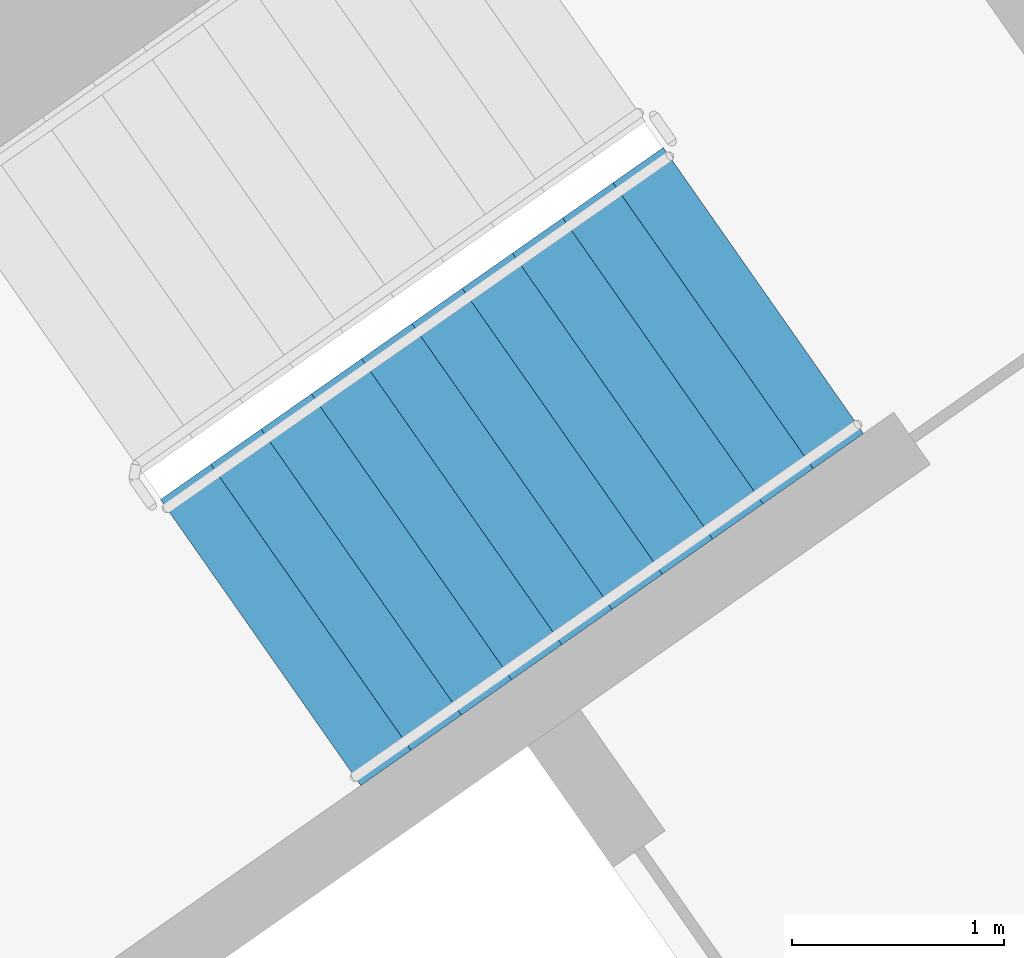
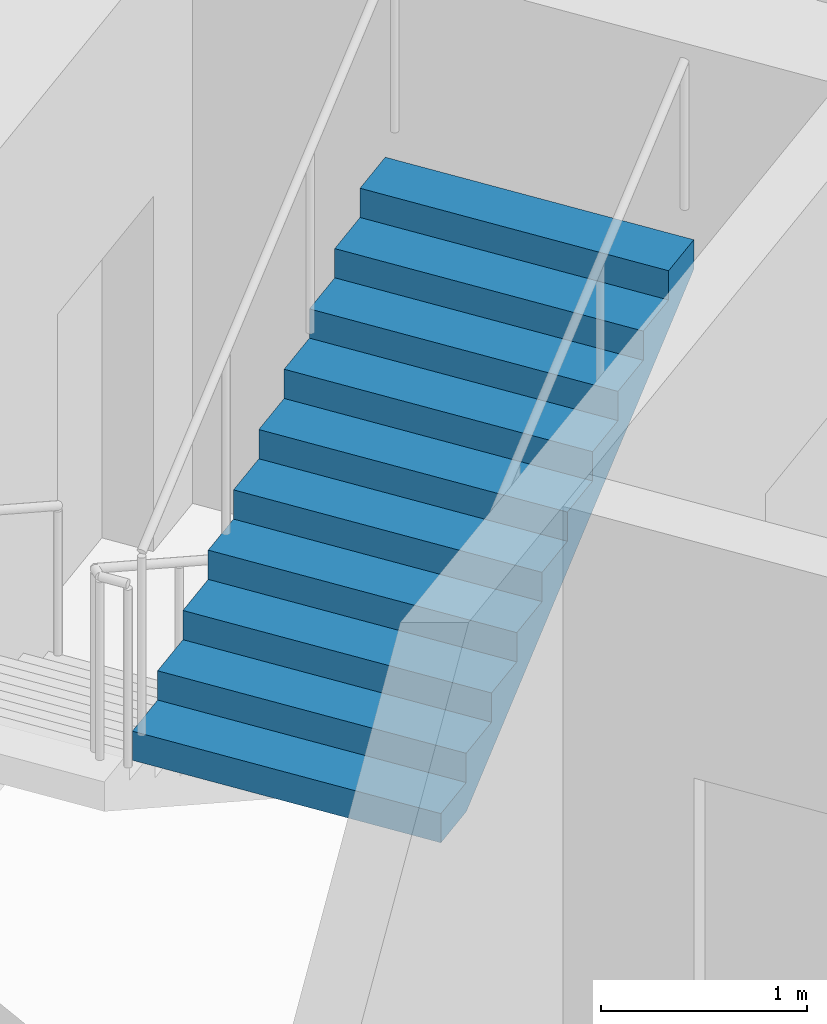
# One storey, part 15 of 29: 1 stair flight, 1 element without a shape of its own.
"""IFC4 building model written with IfcOpenShell, lengths in metres."""

from ifc_helpers import new_model, si_unit, direction, frame, origin, place, context, subcontext, project, spatial, faceted_brep, material, type_object, element, aggregate, save


model = new_model("IFC4")

# Units and contexts
model_context = context("Model", 3, precision=1e-05, world=origin(), true_north=direction((0.0, 1.0)))
body_context = subcontext(model_context, "Body", "Model", "MODEL_VIEW")
ifc_project = project(units=[si_unit("LENGTHUNIT", "METRE"), si_unit("AREAUNIT", "SQUARE_METRE"), si_unit("VOLUMEUNIT", "CUBIC_METRE"), si_unit("PLANEANGLEUNIT", "RADIAN"), si_unit("MASSUNIT", "GRAM", prefix="KILO")], contexts=[model_context])

# Site, building, storey
site_placement = place(None, origin())
site = spatial("IfcSite", under=ifc_project, at=site_placement, CompositionType="ELEMENT")
building_placement = place(site_placement, origin())
building = spatial("IfcBuilding", under=site, at=building_placement, Name="Qamariyya Broadcast Tower", CompositionType="ELEMENT")
storey_placement = place(building_placement, frame((0.0, 0.0, 261.89990234375)))
storey = spatial("IfcBuildingStorey", under=building, at=storey_placement, Name="L63", CompositionType="ELEMENT", Elevation=261.89990234375)

# Stair, stair flight
ifc_material = material(Name="Concrete C50/60", Category="concrete")
stair_type = type_object("IfcStairType", Name="Exit stair 22 risers of 173 mm", PredefinedType="HALF_TURN_STAIR", material=ifc_material)
stair_placement = place(storey_placement, origin())
stair = element("IfcStair", 1, at=stair_placement, inside=storey, type_object=stair_type, Name="L63 Stair E2", PredefinedType="HALF_TURN_STAIR")
stair_flight_type = type_object("IfcStairFlightType", Name="Exit stair flight 11 risers of 173 mm", PredefinedType="STRAIGHT", material=ifc_material)
stair_flight_placement = place(storey_placement, frame((39.215576171875, -50.822998046875, 1.900146484375), z_axis=(0.0, 0.0, 1.0), x_axis=(0.819152044289, 0.573576436351, 0.0)))
stair_flight = element("IfcStairFlight", 2, at=stair_flight_placement, type_object=stair_flight_type, Name="ST-E2 flight 2", NumberOfRisers=11, NumberOfTreads=10, PredefinedType="STRAIGHT", RiserHeight=0.172727273, TreadLength=0.29, context=body_context, shape_type="Brep", body=[
    faceted_brep([(0.0, 0.824951171875, 0.0), (0.0, 0.824951171875, 0.172607421875), (0.2900390625, 0.824951171875, 0.172607421875), (0.2900390625, 0.824951171875, 0.345458984375), (0.580078125, 0.824951171875, 0.345458984375), (0.580078125, 0.824951171875, 0.51806640625), (0.8701171875, 0.824951171875, 0.51806640625), (0.8701171875, 0.824951171875, 0.69091796875), (1.159912109375, 0.824951171875, 0.69091796875), (1.159912109375, 0.824951171875, 0.863525390625), (1.449951171875, 0.824951171875, 0.863525390625), (1.449951171875, 0.824951171875, 1.036376953125), (1.739990234375, 0.824951171875, 1.036376953125), (1.739990234375, 0.824951171875, 1.208984375), (2.030029296875, 0.824951171875, 1.208984375), (2.030029296875, 0.824951171875, 1.3818359375), (2.320068359375, 0.824951171875, 1.3818359375), (2.320068359375, 0.824951171875, 1.554443359375), (2.610107421875, 0.824951171875, 1.554443359375), (2.610107421875, 0.824951171875, 1.727294921875), (2.89990234375, 0.824951171875, 1.727294921875), (2.89990234375, 0.824951171875, 1.552734375), (0.29296875, 0.824951171875, 0.0), (0.29296875, -0.824951171875, 0.0), (2.89990234375, -0.824951171875, 1.552734375), (2.89990234375, -0.824951171875, 1.727294921875), (2.610107421875, -0.824951171875, 1.727294921875), (2.610107421875, -0.824951171875, 1.554443359375), (2.320068359375, -0.824951171875, 1.554443359375), (2.320068359375, -0.824951171875, 1.3818359375), (2.030029296875, -0.824951171875, 1.3818359375), (2.030029296875, -0.824951171875, 1.208984375), (1.739990234375, -0.824951171875, 1.208984375), (1.739990234375, -0.824951171875, 1.036376953125), (1.449951171875, -0.824951171875, 1.036376953125), (1.449951171875, -0.824951171875, 0.863525390625), (1.159912109375, -0.824951171875, 0.863525390625), (1.159912109375, -0.824951171875, 0.69091796875), (0.8701171875, -0.824951171875, 0.69091796875), (0.8701171875, -0.824951171875, 0.51806640625), (0.580078125, -0.824951171875, 0.51806640625), (0.580078125, -0.824951171875, 0.345458984375), (0.2900390625, -0.824951171875, 0.345458984375), (0.2900390625, -0.824951171875, 0.172607421875), (0.0, -0.824951171875, 0.172607421875), (0.0, -0.824951171875, 0.0), (0.0, 0.10009765625, 0.0), (0.0, 0.086669921875, 0.0), (0.0, 0.0732421875, 0.0), (0.0, 0.06005859375, 0.0), (0.0, 0.046630859375, 0.0), (0.0, 0.033447265625, 0.0), (0.0, 0.02001953125, 0.0), (0.0, 0.006591796875, 0.0), (0.0, -0.006591796875, 0.0), (0.0, -0.02001953125, 0.0), (0.0, -0.033447265625, 0.0), (0.0, -0.046630859375, 0.0), (0.0, -0.06005859375, 0.0), (0.0, -0.0732421875, 0.0), (0.0, -0.086669921875, 0.0), (0.0, -0.10009765625, 0.0), (0.0, -0.10009765625, 0.172607421875), (0.0, -0.086669921875, 0.172607421875), (0.0, -0.0732421875, 0.172607421875), (0.0, -0.06005859375, 0.172607421875), (0.0, -0.046630859375, 0.172607421875), (0.0, -0.033447265625, 0.172607421875), (0.0, -0.02001953125, 0.172607421875), (0.0, -0.006591796875, 0.172607421875), (0.0, 0.006591796875, 0.172607421875), (0.0, 0.02001953125, 0.172607421875), (0.0, 0.033447265625, 0.172607421875), (0.0, 0.046630859375, 0.172607421875), (0.0, 0.06005859375, 0.172607421875), (0.0, 0.0732421875, 0.172607421875), (0.0, 0.086669921875, 0.172607421875), (0.0, 0.10009765625, 0.172607421875), (0.2900390625, -0.10009765625, 0.172607421875), (0.2900390625, -0.086669921875, 0.172607421875), (0.2900390625, -0.0732421875, 0.172607421875), (0.2900390625, -0.06005859375, 0.172607421875), (0.2900390625, -0.046630859375, 0.172607421875), (0.2900390625, -0.033447265625, 0.172607421875), (0.2900390625, -0.02001953125, 0.172607421875), (0.2900390625, -0.006591796875, 0.172607421875), (0.2900390625, 0.006591796875, 0.172607421875), (0.2900390625, 0.02001953125, 0.172607421875), (0.2900390625, 0.033447265625, 0.172607421875), (0.2900390625, 0.046630859375, 0.172607421875), (0.2900390625, 0.06005859375, 0.172607421875), (0.2900390625, 0.0732421875, 0.172607421875), (0.2900390625, 0.086669921875, 0.172607421875), (0.2900390625, 0.10009765625, 0.172607421875), (0.2900390625, -0.10009765625, 0.345458984375), (0.2900390625, -0.086669921875, 0.345458984375), (0.2900390625, -0.0732421875, 0.345458984375), (0.2900390625, -0.06005859375, 0.345458984375), (0.2900390625, -0.046630859375, 0.345458984375), (0.2900390625, -0.033447265625, 0.345458984375), (0.2900390625, -0.02001953125, 0.345458984375), (0.2900390625, -0.006591796875, 0.345458984375), (0.2900390625, 0.006591796875, 0.345458984375), (0.2900390625, 0.02001953125, 0.345458984375), (0.2900390625, 0.033447265625, 0.345458984375), (0.2900390625, 0.046630859375, 0.345458984375), (0.2900390625, 0.06005859375, 0.345458984375), (0.2900390625, 0.0732421875, 0.345458984375), (0.2900390625, 0.086669921875, 0.345458984375), (0.2900390625, 0.10009765625, 0.345458984375), (0.580078125, -0.10009765625, 0.345458984375), (0.580078125, -0.086669921875, 0.345458984375), (0.580078125, -0.0732421875, 0.345458984375), (0.580078125, -0.06005859375, 0.345458984375), (0.580078125, -0.046630859375, 0.345458984375), (0.580078125, -0.033447265625, 0.345458984375), (0.580078125, -0.02001953125, 0.345458984375), (0.580078125, -0.006591796875, 0.345458984375), (0.580078125, 0.006591796875, 0.345458984375), (0.580078125, 0.02001953125, 0.345458984375), (0.580078125, 0.033447265625, 0.345458984375), (0.580078125, 0.046630859375, 0.345458984375), (0.580078125, 0.06005859375, 0.345458984375), (0.580078125, 0.0732421875, 0.345458984375), (0.580078125, 0.086669921875, 0.345458984375), (0.580078125, 0.10009765625, 0.345458984375), (0.580078125, -0.10009765625, 0.51806640625), (0.580078125, -0.086669921875, 0.51806640625), (0.580078125, -0.0732421875, 0.51806640625), (0.580078125, -0.06005859375, 0.51806640625), (0.580078125, -0.046630859375, 0.51806640625), (0.580078125, -0.033447265625, 0.51806640625), (0.580078125, -0.02001953125, 0.51806640625), (0.580078125, -0.006591796875, 0.51806640625), (0.580078125, 0.006591796875, 0.51806640625), (0.580078125, 0.02001953125, 0.51806640625), (0.580078125, 0.033447265625, 0.51806640625), (0.580078125, 0.046630859375, 0.51806640625), (0.580078125, 0.06005859375, 0.51806640625), (0.580078125, 0.0732421875, 0.51806640625), (0.580078125, 0.086669921875, 0.51806640625), (0.580078125, 0.10009765625, 0.51806640625), (0.8701171875, -0.10009765625, 0.51806640625), (0.8701171875, -0.086669921875, 0.51806640625), (0.8701171875, -0.0732421875, 0.51806640625), (0.8701171875, -0.06005859375, 0.51806640625), (0.8701171875, -0.046630859375, 0.51806640625), (0.8701171875, -0.033447265625, 0.51806640625), (0.8701171875, -0.02001953125, 0.51806640625), (0.8701171875, -0.006591796875, 0.51806640625), (0.8701171875, 0.006591796875, 0.51806640625), (0.8701171875, 0.02001953125, 0.51806640625), (0.8701171875, 0.033447265625, 0.51806640625), (0.8701171875, 0.046630859375, 0.51806640625), (0.8701171875, 0.06005859375, 0.51806640625), (0.8701171875, 0.0732421875, 0.51806640625), (0.8701171875, 0.086669921875, 0.51806640625), (0.8701171875, 0.10009765625, 0.51806640625), (0.8701171875, -0.10009765625, 0.69091796875), (0.8701171875, -0.086669921875, 0.69091796875), (0.8701171875, -0.0732421875, 0.69091796875), (0.8701171875, -0.06005859375, 0.69091796875), (0.8701171875, -0.046630859375, 0.69091796875), (0.8701171875, -0.033447265625, 0.69091796875), (0.8701171875, -0.02001953125, 0.69091796875), (0.8701171875, -0.006591796875, 0.69091796875), (0.8701171875, 0.006591796875, 0.69091796875), (0.8701171875, 0.02001953125, 0.69091796875), (0.8701171875, 0.033447265625, 0.69091796875), (0.8701171875, 0.046630859375, 0.69091796875), (0.8701171875, 0.06005859375, 0.69091796875), (0.8701171875, 0.0732421875, 0.69091796875), (0.8701171875, 0.086669921875, 0.69091796875), (0.8701171875, 0.10009765625, 0.69091796875), (1.159912109375, -0.10009765625, 0.69091796875), (1.159912109375, -0.086669921875, 0.69091796875), (1.159912109375, -0.0732421875, 0.69091796875), (1.159912109375, -0.06005859375, 0.69091796875), (1.159912109375, -0.046630859375, 0.69091796875), (1.159912109375, -0.033447265625, 0.69091796875), (1.159912109375, -0.02001953125, 0.69091796875), (1.159912109375, -0.006591796875, 0.69091796875), (1.159912109375, 0.006591796875, 0.69091796875), (1.159912109375, 0.02001953125, 0.69091796875), (1.159912109375, 0.033447265625, 0.69091796875), (1.159912109375, 0.046630859375, 0.69091796875), (1.159912109375, 0.06005859375, 0.69091796875), (1.159912109375, 0.0732421875, 0.69091796875), (1.159912109375, 0.086669921875, 0.69091796875), (1.159912109375, 0.10009765625, 0.69091796875), (1.159912109375, -0.10009765625, 0.863525390625), (1.159912109375, -0.086669921875, 0.863525390625), (1.159912109375, -0.0732421875, 0.863525390625), (1.159912109375, -0.06005859375, 0.863525390625), (1.159912109375, -0.046630859375, 0.863525390625), (1.159912109375, -0.033447265625, 0.863525390625), (1.159912109375, -0.02001953125, 0.863525390625), (1.159912109375, -0.006591796875, 0.863525390625), (1.159912109375, 0.006591796875, 0.863525390625), (1.159912109375, 0.02001953125, 0.863525390625), (1.159912109375, 0.033447265625, 0.863525390625), (1.159912109375, 0.046630859375, 0.863525390625), (1.159912109375, 0.06005859375, 0.863525390625), (1.159912109375, 0.0732421875, 0.863525390625), (1.159912109375, 0.086669921875, 0.863525390625), (1.159912109375, 0.10009765625, 0.863525390625), (1.449951171875, -0.10009765625, 0.863525390625), (1.449951171875, -0.086669921875, 0.863525390625), (1.449951171875, -0.0732421875, 0.863525390625), (1.449951171875, -0.06005859375, 0.863525390625), (1.449951171875, -0.046630859375, 0.863525390625), (1.449951171875, -0.033447265625, 0.863525390625), (1.449951171875, -0.02001953125, 0.863525390625), (1.449951171875, -0.006591796875, 0.863525390625), (1.449951171875, 0.006591796875, 0.863525390625), (1.449951171875, 0.02001953125, 0.863525390625), (1.449951171875, 0.033447265625, 0.863525390625), (1.449951171875, 0.046630859375, 0.863525390625), (1.449951171875, 0.06005859375, 0.863525390625), (1.449951171875, 0.0732421875, 0.863525390625), (1.449951171875, 0.086669921875, 0.863525390625), (1.449951171875, 0.10009765625, 0.863525390625), (1.449951171875, -0.10009765625, 1.036376953125), (1.449951171875, -0.086669921875, 1.036376953125), (1.449951171875, -0.0732421875, 1.036376953125), (1.449951171875, -0.06005859375, 1.036376953125), (1.449951171875, -0.046630859375, 1.036376953125), (1.449951171875, -0.033447265625, 1.036376953125), (1.449951171875, -0.02001953125, 1.036376953125), (1.449951171875, -0.006591796875, 1.036376953125), (1.449951171875, 0.006591796875, 1.036376953125), (1.449951171875, 0.02001953125, 1.036376953125), (1.449951171875, 0.033447265625, 1.036376953125), (1.449951171875, 0.046630859375, 1.036376953125), (1.449951171875, 0.06005859375, 1.036376953125), (1.449951171875, 0.0732421875, 1.036376953125), (1.449951171875, 0.086669921875, 1.036376953125), (1.449951171875, 0.10009765625, 1.036376953125), (1.739990234375, -0.10009765625, 1.036376953125), (1.739990234375, -0.086669921875, 1.036376953125), (1.739990234375, -0.0732421875, 1.036376953125), (1.739990234375, -0.06005859375, 1.036376953125), (1.739990234375, -0.046630859375, 1.036376953125), (1.739990234375, -0.033447265625, 1.036376953125), (1.739990234375, -0.02001953125, 1.036376953125), (1.739990234375, -0.006591796875, 1.036376953125), (1.739990234375, 0.006591796875, 1.036376953125), (1.739990234375, 0.02001953125, 1.036376953125), (1.739990234375, 0.033447265625, 1.036376953125), (1.739990234375, 0.046630859375, 1.036376953125), (1.739990234375, 0.06005859375, 1.036376953125), (1.739990234375, 0.0732421875, 1.036376953125), (1.739990234375, 0.086669921875, 1.036376953125), (1.739990234375, 0.10009765625, 1.036376953125), (1.739990234375, -0.10009765625, 1.208984375), (1.739990234375, -0.086669921875, 1.208984375), (1.739990234375, -0.0732421875, 1.208984375), (1.739990234375, -0.06005859375, 1.208984375), (1.739990234375, -0.046630859375, 1.208984375), (1.739990234375, -0.033447265625, 1.208984375), (1.739990234375, -0.02001953125, 1.208984375), (1.739990234375, -0.006591796875, 1.208984375), (1.739990234375, 0.006591796875, 1.208984375), (1.739990234375, 0.02001953125, 1.208984375), (1.739990234375, 0.033447265625, 1.208984375), (1.739990234375, 0.046630859375, 1.208984375), (1.739990234375, 0.06005859375, 1.208984375), (1.739990234375, 0.0732421875, 1.208984375), (1.739990234375, 0.086669921875, 1.208984375), (1.739990234375, 0.10009765625, 1.208984375), (2.030029296875, -0.10009765625, 1.208984375), (2.030029296875, -0.086669921875, 1.208984375), (2.030029296875, -0.0732421875, 1.208984375), (2.030029296875, -0.06005859375, 1.208984375), (2.030029296875, -0.046630859375, 1.208984375), (2.030029296875, -0.033447265625, 1.208984375), (2.030029296875, -0.02001953125, 1.208984375), (2.030029296875, -0.006591796875, 1.208984375), (2.030029296875, 0.006591796875, 1.208984375), (2.030029296875, 0.02001953125, 1.208984375), (2.030029296875, 0.033447265625, 1.208984375), (2.030029296875, 0.046630859375, 1.208984375), (2.030029296875, 0.06005859375, 1.208984375), (2.030029296875, 0.0732421875, 1.208984375), (2.030029296875, 0.086669921875, 1.208984375), (2.030029296875, 0.10009765625, 1.208984375), (2.030029296875, -0.10009765625, 1.3818359375), (2.030029296875, -0.086669921875, 1.3818359375), (2.030029296875, -0.0732421875, 1.3818359375), (2.030029296875, -0.06005859375, 1.3818359375), (2.030029296875, -0.046630859375, 1.3818359375), (2.030029296875, -0.033447265625, 1.3818359375), (2.030029296875, -0.02001953125, 1.3818359375), (2.030029296875, -0.006591796875, 1.3818359375), (2.030029296875, 0.006591796875, 1.3818359375), (2.030029296875, 0.02001953125, 1.3818359375), (2.030029296875, 0.033447265625, 1.3818359375), (2.030029296875, 0.046630859375, 1.3818359375), (2.030029296875, 0.06005859375, 1.3818359375), (2.030029296875, 0.0732421875, 1.3818359375), (2.030029296875, 0.086669921875, 1.3818359375), (2.030029296875, 0.10009765625, 1.3818359375), (2.320068359375, -0.10009765625, 1.3818359375), (2.320068359375, -0.086669921875, 1.3818359375), (2.320068359375, -0.0732421875, 1.3818359375), (2.320068359375, -0.06005859375, 1.3818359375), (2.320068359375, -0.046630859375, 1.3818359375), (2.320068359375, -0.033447265625, 1.3818359375), (2.320068359375, -0.02001953125, 1.3818359375), (2.320068359375, -0.006591796875, 1.3818359375), (2.320068359375, 0.006591796875, 1.3818359375), (2.320068359375, 0.02001953125, 1.3818359375), (2.320068359375, 0.033447265625, 1.3818359375), (2.320068359375, 0.046630859375, 1.3818359375), (2.320068359375, 0.06005859375, 1.3818359375), (2.320068359375, 0.0732421875, 1.3818359375), (2.320068359375, 0.086669921875, 1.3818359375), (2.320068359375, 0.10009765625, 1.3818359375), (2.320068359375, -0.10009765625, 1.554443359375), (2.320068359375, -0.086669921875, 1.554443359375), (2.320068359375, -0.0732421875, 1.554443359375), (2.320068359375, -0.06005859375, 1.554443359375), (2.320068359375, -0.046630859375, 1.554443359375), (2.320068359375, -0.033447265625, 1.554443359375), (2.320068359375, -0.02001953125, 1.554443359375), (2.320068359375, -0.006591796875, 1.554443359375), (2.320068359375, 0.006591796875, 1.554443359375), (2.320068359375, 0.02001953125, 1.554443359375), (2.320068359375, 0.033447265625, 1.554443359375), (2.320068359375, 0.046630859375, 1.554443359375), (2.320068359375, 0.06005859375, 1.554443359375), (2.320068359375, 0.0732421875, 1.554443359375), (2.320068359375, 0.086669921875, 1.554443359375), (2.320068359375, 0.10009765625, 1.554443359375), (2.610107421875, -0.10009765625, 1.554443359375), (2.610107421875, -0.086669921875, 1.554443359375), (2.610107421875, -0.0732421875, 1.554443359375), (2.610107421875, -0.06005859375, 1.554443359375), (2.610107421875, -0.046630859375, 1.554443359375), (2.610107421875, -0.033447265625, 1.554443359375), (2.610107421875, -0.02001953125, 1.554443359375), (2.610107421875, -0.006591796875, 1.554443359375), (2.610107421875, 0.006591796875, 1.554443359375), (2.610107421875, 0.02001953125, 1.554443359375), (2.610107421875, 0.033447265625, 1.554443359375), (2.610107421875, 0.046630859375, 1.554443359375), (2.610107421875, 0.06005859375, 1.554443359375), (2.610107421875, 0.0732421875, 1.554443359375), (2.610107421875, 0.086669921875, 1.554443359375), (2.610107421875, 0.10009765625, 1.554443359375), (2.610107421875, -0.10009765625, 1.727294921875), (2.610107421875, -0.086669921875, 1.727294921875), (2.610107421875, -0.0732421875, 1.727294921875), (2.610107421875, -0.06005859375, 1.727294921875), (2.610107421875, -0.046630859375, 1.727294921875), (2.610107421875, -0.033447265625, 1.727294921875), (2.610107421875, -0.02001953125, 1.727294921875), (2.610107421875, -0.006591796875, 1.727294921875), (2.610107421875, 0.006591796875, 1.727294921875), (2.610107421875, 0.02001953125, 1.727294921875), (2.610107421875, 0.033447265625, 1.727294921875), (2.610107421875, 0.046630859375, 1.727294921875), (2.610107421875, 0.06005859375, 1.727294921875), (2.610107421875, 0.0732421875, 1.727294921875), (2.610107421875, 0.086669921875, 1.727294921875), (2.610107421875, 0.10009765625, 1.727294921875), (2.89990234375, -0.10009765625, 1.727294921875), (2.89990234375, -0.086669921875, 1.727294921875), (2.89990234375, -0.0732421875, 1.727294921875), (2.89990234375, -0.06005859375, 1.727294921875), (2.89990234375, -0.046630859375, 1.727294921875), (2.89990234375, -0.033447265625, 1.727294921875), (2.89990234375, -0.02001953125, 1.727294921875), (2.89990234375, -0.006591796875, 1.727294921875), (2.89990234375, 0.006591796875, 1.727294921875), (2.89990234375, 0.02001953125, 1.727294921875), (2.89990234375, 0.033447265625, 1.727294921875), (2.89990234375, 0.046630859375, 1.727294921875), (2.89990234375, 0.06005859375, 1.727294921875), (2.89990234375, 0.0732421875, 1.727294921875), (2.89990234375, 0.086669921875, 1.727294921875), (2.89990234375, 0.10009765625, 1.727294921875), (2.89990234375, -0.10009765625, 1.552734375), (2.89990234375, -0.086669921875, 1.552734375), (2.89990234375, -0.0732421875, 1.552734375), (2.89990234375, -0.06005859375, 1.552734375), (2.89990234375, -0.046630859375, 1.552734375), (2.89990234375, -0.033447265625, 1.552734375), (2.89990234375, -0.02001953125, 1.552734375), (2.89990234375, -0.006591796875, 1.552734375), (2.89990234375, 0.006591796875, 1.552734375), (2.89990234375, 0.02001953125, 1.552734375), (2.89990234375, 0.033447265625, 1.552734375), (2.89990234375, 0.046630859375, 1.552734375), (2.89990234375, 0.06005859375, 1.552734375), (2.89990234375, 0.0732421875, 1.552734375), (2.89990234375, 0.086669921875, 1.552734375), (2.89990234375, 0.10009765625, 1.552734375), (0.29296875, -0.10009765625, 0.0), (0.29296875, -0.086669921875, 0.0), (0.29296875, -0.0732421875, 0.0), (0.29296875, -0.06005859375, 0.0), (0.29296875, -0.046630859375, 0.0), (0.29296875, -0.033447265625, 0.0), (0.29296875, -0.02001953125, 0.0), (0.29296875, -0.006591796875, 0.0), (0.29296875, 0.006591796875, 0.0), (0.29296875, 0.02001953125, 0.0), (0.29296875, 0.033447265625, 0.0), (0.29296875, 0.046630859375, 0.0), (0.29296875, 0.06005859375, 0.0), (0.29296875, 0.0732421875, 0.0), (0.29296875, 0.086669921875, 0.0), (0.29296875, 0.10009765625, 0.0)], [[[0, 1, 2, 3, 4, 5, 6, 7, 8, 9, 10, 11, 12, 13, 14, 15, 16, 17, 18, 19, 20, 21, 22]], [[23, 24, 25, 26, 27, 28, 29, 30, 31, 32, 33, 34, 35, 36, 37, 38, 39, 40, 41, 42, 43, 44, 45]], [[0, 46, 47, 48, 49, 50, 51, 52, 53, 54, 55, 56, 57, 58, 59, 60, 61, 45, 44, 62, 63, 64, 65, 66, 67, 68, 69, 70, 71, 72, 73, 74, 75, 76, 77, 1]], [[1, 77, 76, 75, 74, 73, 72, 71, 70, 69, 68, 67, 66, 65, 64, 63, 62, 44, 43, 78, 79, 80, 81, 82, 83, 84, 85, 86, 87, 88, 89, 90, 91, 92, 93, 2]], [[2, 93, 92, 91, 90, 89, 88, 87, 86, 85, 84, 83, 82, 81, 80, 79, 78, 43, 42, 94, 95, 96, 97, 98, 99, 100, 101, 102, 103, 104, 105, 106, 107, 108, 109, 3]], [[3, 109, 108, 107, 106, 105, 104, 103, 102, 101, 100, 99, 98, 97, 96, 95, 94, 42, 41, 110, 111, 112, 113, 114, 115, 116, 117, 118, 119, 120, 121, 122, 123, 124, 125, 4]], [[4, 125, 124, 123, 122, 121, 120, 119, 118, 117, 116, 115, 114, 113, 112, 111, 110, 41, 40, 126, 127, 128, 129, 130, 131, 132, 133, 134, 135, 136, 137, 138, 139, 140, 141, 5]], [[5, 141, 140, 139, 138, 137, 136, 135, 134, 133, 132, 131, 130, 129, 128, 127, 126, 40, 39, 142, 143, 144, 145, 146, 147, 148, 149, 150, 151, 152, 153, 154, 155, 156, 157, 6]], [[6, 157, 156, 155, 154, 153, 152, 151, 150, 149, 148, 147, 146, 145, 144, 143, 142, 39, 38, 158, 159, 160, 161, 162, 163, 164, 165, 166, 167, 168, 169, 170, 171, 172, 173, 7]], [[7, 173, 172, 171, 170, 169, 168, 167, 166, 165, 164, 163, 162, 161, 160, 159, 158, 38, 37, 174, 175, 176, 177, 178, 179, 180, 181, 182, 183, 184, 185, 186, 187, 188, 189, 8]], [[8, 189, 188, 187, 186, 185, 184, 183, 182, 181, 180, 179, 178, 177, 176, 175, 174, 37, 36, 190, 191, 192, 193, 194, 195, 196, 197, 198, 199, 200, 201, 202, 203, 204, 205, 9]], [[9, 205, 204, 203, 202, 201, 200, 199, 198, 197, 196, 195, 194, 193, 192, 191, 190, 36, 35, 206, 207, 208, 209, 210, 211, 212, 213, 214, 215, 216, 217, 218, 219, 220, 221, 10]], [[10, 221, 220, 219, 218, 217, 216, 215, 214, 213, 212, 211, 210, 209, 208, 207, 206, 35, 34, 222, 223, 224, 225, 226, 227, 228, 229, 230, 231, 232, 233, 234, 235, 236, 237, 11]], [[11, 237, 236, 235, 234, 233, 232, 231, 230, 229, 228, 227, 226, 225, 224, 223, 222, 34, 33, 238, 239, 240, 241, 242, 243, 244, 245, 246, 247, 248, 249, 250, 251, 252, 253, 12]], [[12, 253, 252, 251, 250, 249, 248, 247, 246, 245, 244, 243, 242, 241, 240, 239, 238, 33, 32, 254, 255, 256, 257, 258, 259, 260, 261, 262, 263, 264, 265, 266, 267, 268, 269, 13]], [[13, 269, 268, 267, 266, 265, 264, 263, 262, 261, 260, 259, 258, 257, 256, 255, 254, 32, 31, 270, 271, 272, 273, 274, 275, 276, 277, 278, 279, 280, 281, 282, 283, 284, 285, 14]], [[14, 285, 284, 283, 282, 281, 280, 279, 278, 277, 276, 275, 274, 273, 272, 271, 270, 31, 30, 286, 287, 288, 289, 290, 291, 292, 293, 294, 295, 296, 297, 298, 299, 300, 301, 15]], [[15, 301, 300, 299, 298, 297, 296, 295, 294, 293, 292, 291, 290, 289, 288, 287, 286, 30, 29, 302, 303, 304, 305, 306, 307, 308, 309, 310, 311, 312, 313, 314, 315, 316, 317, 16]], [[16, 317, 316, 315, 314, 313, 312, 311, 310, 309, 308, 307, 306, 305, 304, 303, 302, 29, 28, 318, 319, 320, 321, 322, 323, 324, 325, 326, 327, 328, 329, 330, 331, 332, 333, 17]], [[17, 333, 332, 331, 330, 329, 328, 327, 326, 325, 324, 323, 322, 321, 320, 319, 318, 28, 27, 334, 335, 336, 337, 338, 339, 340, 341, 342, 343, 344, 345, 346, 347, 348, 349, 18]], [[18, 349, 348, 347, 346, 345, 344, 343, 342, 341, 340, 339, 338, 337, 336, 335, 334, 27, 26, 350, 351, 352, 353, 354, 355, 356, 357, 358, 359, 360, 361, 362, 363, 364, 365, 19]], [[19, 365, 364, 363, 362, 361, 360, 359, 358, 357, 356, 355, 354, 353, 352, 351, 350, 26, 25, 366, 367, 368, 369, 370, 371, 372, 373, 374, 375, 376, 377, 378, 379, 380, 381, 20]], [[20, 381, 380, 379, 378, 377, 376, 375, 374, 373, 372, 371, 370, 369, 368, 367, 366, 25, 24, 382, 383, 384, 385, 386, 387, 388, 389, 390, 391, 392, 393, 394, 395, 396, 397, 21]], [[21, 397, 396, 395, 394, 393, 392, 391, 390, 389, 388, 387, 386, 385, 384, 383, 382, 24, 23, 398, 399, 400, 401, 402, 403, 404, 405, 406, 407, 408, 409, 410, 411, 412, 413, 22]], [[22, 413, 412, 411, 410, 409, 408, 407, 406, 405, 404, 403, 402, 401, 400, 399, 398, 23, 45, 61, 60, 59, 58, 57, 56, 55, 54, 53, 52, 51, 50, 49, 48, 47, 46, 0]]]),
])
aggregate(stair, [stair_flight])

save(model, "model.ifc")
